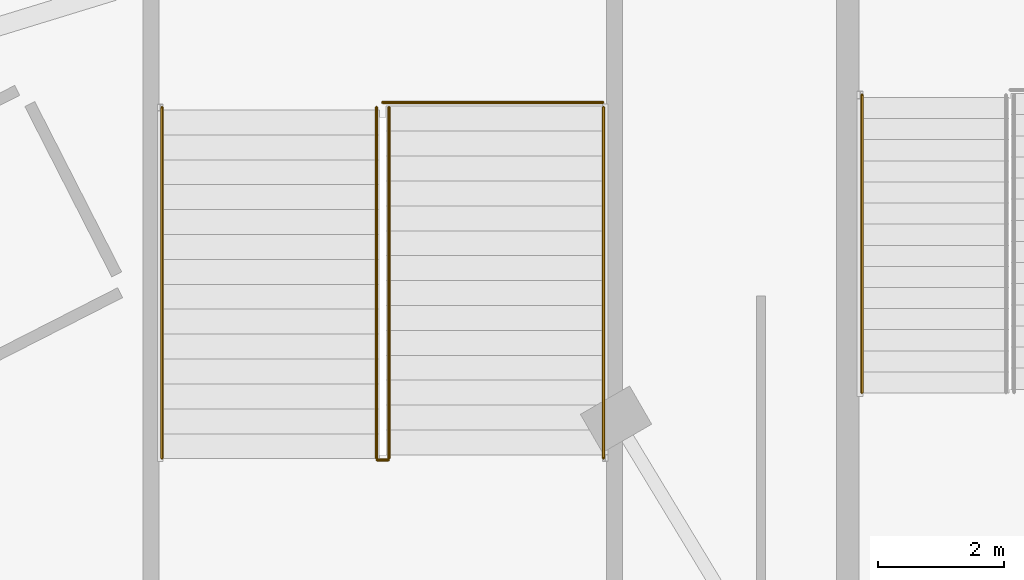
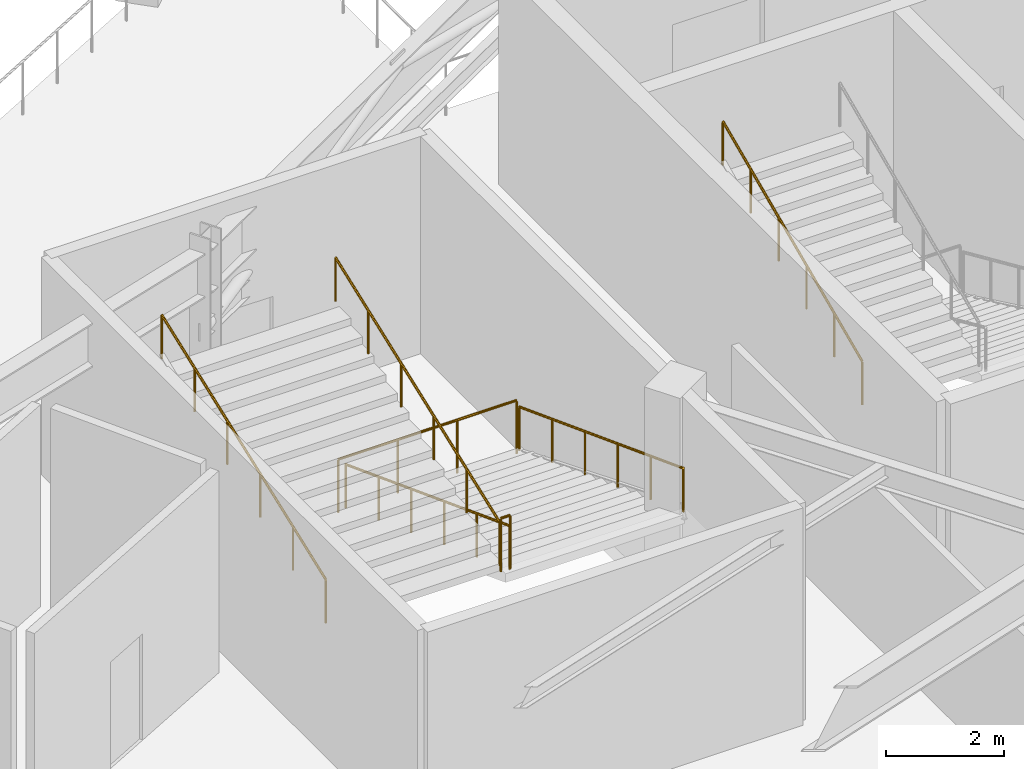
# One storey, part 109 of 123: 7 railings.
"""IFC4 building model written with IfcOpenShell, lengths in metres."""

from ifc_helpers import new_model, si_unit, direction, frame, origin, origin_2d, place, context, subcontext, project, spatial, circle, extrude, material, type_object, element, save


model = new_model("IFC4")

# Units and contexts
model_context = context("Model", 3, precision=1e-05, world=origin(), true_north=direction((0.0, 1.0)))
body_context = subcontext(model_context, "Body", "Model", "MODEL_VIEW")
ifc_project = project(units=[si_unit("LENGTHUNIT", "METRE"), si_unit("AREAUNIT", "SQUARE_METRE"), si_unit("VOLUMEUNIT", "CUBIC_METRE"), si_unit("PLANEANGLEUNIT", "RADIAN"), si_unit("MASSUNIT", "GRAM", prefix="KILO")], contexts=[model_context])

# Site, building, storey
site_placement = place(None, origin())
site = spatial("IfcSite", under=ifc_project, at=site_placement, CompositionType="ELEMENT")
building_placement = place(site_placement, origin())
building = spatial("IfcBuilding", under=site, at=building_placement, Name="Kalgoora Escarpment Arena", CompositionType="ELEMENT")
storey_placement = place(building_placement, frame((0.0, 0.0, 9.89990234375)))
storey = spatial("IfcBuildingStorey", under=building, at=storey_placement, Name="L02", CompositionType="ELEMENT", Elevation=9.89990234375)

# Railings
ifc_material_1 = material(Name="Galvanised & powdercoated tubular steel", Category="steel")
railing_type_1 = type_object("IfcRailingType", Name="RAL-GUARD-1120", PredefinedType="GUARDRAIL", material=ifc_material_1)
railing_1_placement = place(storey_placement, frame((120.489990234375, 20.919921875, 2.25)))
element("IfcRailing", 1, at=railing_1_placement, inside=storey, type_object=railing_type_1, Name="ST16 L02 half-landing well guard", PredefinedType="GUARDRAIL", context=body_context, shape_type="SweptSolid", body=[
    extrude(circle(Radius=0.02392578125, at=origin_2d()), frame((0.0, 0.0, 1.09619140625), z_axis=(-1.0, 0.0, 0.0), x_axis=(0.0, -1.0, 0.0)), (0.0, 0.0, 1.0), 0.179931640625),
    extrude(circle(Radius=0.02099609375, at=origin_2d()), origin(), (0.0, 0.0, 1.0), 1.072021484375),
    extrude(circle(Radius=0.02099609375, at=origin_2d()), frame((-0.179931640625, 0.0, 0.0)), (0.0, 0.0, 1.0), 1.072021484375),
])
railing_2_placement = place(storey_placement, frame((123.889892578125, 26.590087890625, 0.0)))
element("IfcRailing", 2, at=railing_2_placement, inside=storey, type_object=railing_type_1, Name="ST16 L02 floor landing well guard", PredefinedType="GUARDRAIL", context=body_context, shape_type="SweptSolid", body=[
    extrude(circle(Radius=0.02392578125, at=origin_2d()), frame((0.0, 0.0, 1.09619140625), z_axis=(-1.0, 0.0, 0.0), x_axis=(0.0, -1.0, 0.0)), (0.0, 0.0, 1.0), 3.489990234375),
    extrude(circle(Radius=0.02099609375, at=origin_2d()), origin(), (0.0, 0.0, 1.0), 1.072021484375),
    extrude(circle(Radius=0.02099609375, at=origin_2d()), frame((-1.163330078125, 0.0, 0.0)), (0.0, 0.0, 1.0), 1.072021484375),
    extrude(circle(Radius=0.02099609375, at=origin_2d()), frame((-2.32666015625, 0.0, 0.0)), (0.0, 0.0, 1.0), 1.072021484375),
    extrude(circle(Radius=0.02099609375, at=origin_2d()), frame((-3.489990234375, 0.0, 0.0)), (0.0, 0.0, 1.0), 1.072021484375),
])
ifc_material_2 = material(Name="Brushed stainless steel 316 handrail", Category="steel")
railing_type_2 = type_object("IfcRailingType", Name="RAL-HAND-920", PredefinedType="HANDRAIL", material=ifc_material_2)
railing_3_placement = place(storey_placement, frame((128.0, 21.989990234375, 2.360107421875)))
element("IfcRailing", 3, at=railing_3_placement, inside=storey, type_object=railing_type_2, Name="ST06 L02 pitched stair handrail F2R", PredefinedType="HANDRAIL", context=body_context, shape_type="SweptSolid", body=[
    extrude(circle(Radius=0.02392578125, at=origin_2d()), frame((0.0, 0.0, 0.89599609375), z_axis=(0.0, 0.913643874524, 0.406515523129), x_axis=(-1.0, 0.0, 0.0)), (0.0, 0.0, 1.0), 5.166015625),
    extrude(circle(Radius=0.02099609375, at=origin_2d()), origin(), (0.0, 0.0, 1.0), 0.871826171875),
    extrude(circle(Radius=0.02099609375, at=origin_2d()), frame((0.0, 0.944091796875, 0.419921875)), (0.0, 0.0, 1.0), 0.871826171875),
    extrude(circle(Radius=0.02099609375, at=origin_2d()), frame((0.0, 1.887939453125, 0.840087890625)), (0.0, 0.0, 1.0), 0.871826171875),
    extrude(circle(Radius=0.02099609375, at=origin_2d()), frame((0.0, 2.83203125, 1.260009765625)), (0.0, 0.0, 1.0), 0.871826171875),
    extrude(circle(Radius=0.02099609375, at=origin_2d()), frame((0.0, 3.77587890625, 1.68017578125)), (0.0, 0.0, 1.0), 0.871826171875),
    extrude(circle(Radius=0.02099609375, at=origin_2d()), frame((0.0, 4.719970703125, 2.10009765625)), (0.0, 0.0, 1.0), 0.871826171875),
])
for number, where, name in (
    (4, (123.89990234375, 26.510009765625, 0.110107421875), "ST16 L02 pitched stair handrail F1L"),
    (5, (120.5, 26.510009765625, 0.110107421875), "ST16 L02 pitched stair handrail F1R"),
):
    element("IfcRailing", number, at=place(storey_placement, frame(where)), inside=storey, type_object=railing_type_2, Name=name, PredefinedType="HANDRAIL", context=body_context, shape_type="SweptSolid", body=[
        extrude(circle(Radius=0.02392578125, at=origin_2d()), frame((0.0, 0.0, 0.89599609375), z_axis=(0.0, -0.935492612948, 0.353346248203), x_axis=(1.0, 0.0, 0.0)), (0.0, 0.0, 1.0), 5.943359375),
        extrude(circle(Radius=0.02099609375, at=origin_2d()), origin(), (0.0, 0.0, 1.0), 0.871826171875),
        extrude(circle(Radius=0.02099609375, at=origin_2d()), frame((0.0, -1.112060546875, 0.419921875)), (0.0, 0.0, 1.0), 0.871826171875),
        extrude(circle(Radius=0.02099609375, at=origin_2d()), frame((0.0, -2.22412109375, 0.840087890625)), (0.0, 0.0, 1.0), 0.871826171875),
        extrude(circle(Radius=0.02099609375, at=origin_2d()), frame((0.0, -3.3359375, 1.260009765625)), (0.0, 0.0, 1.0), 0.871826171875),
        extrude(circle(Radius=0.02099609375, at=origin_2d()), frame((0.0, -4.447998046875, 1.68017578125)), (0.0, 0.0, 1.0), 0.871826171875),
        extrude(circle(Radius=0.02099609375, at=origin_2d()), frame((0.0, -5.56005859375, 2.10009765625)), (0.0, 0.0, 1.0), 0.871826171875),
    ])
for number, where, name in (
    (6, (120.300048828125, 20.949951171875, 2.360107421875), "ST16 L02 pitched stair handrail F2L"),
    (7, (116.89990234375, 20.949951171875, 2.360107421875), "ST16 L02 pitched stair handrail F2R"),
):
    element("IfcRailing", number, at=place(storey_placement, frame(where)), inside=storey, type_object=railing_type_2, Name=name, PredefinedType="HANDRAIL", context=body_context, shape_type="SweptSolid", body=[
        extrude(circle(Radius=0.02392578125, at=origin_2d()), frame((0.0, 0.0, 0.89599609375), z_axis=(0.0, 0.935492612948, 0.353346248203), x_axis=(-1.0, 0.0, 0.0)), (0.0, 0.0, 1.0), 5.943359375),
        extrude(circle(Radius=0.02099609375, at=origin_2d()), origin(), (0.0, 0.0, 1.0), 0.871826171875),
        extrude(circle(Radius=0.02099609375, at=origin_2d()), frame((0.0, 1.112060546875, 0.419921875)), (0.0, 0.0, 1.0), 0.871826171875),
        extrude(circle(Radius=0.02099609375, at=origin_2d()), frame((0.0, 2.22412109375, 0.840087890625)), (0.0, 0.0, 1.0), 0.871826171875),
        extrude(circle(Radius=0.02099609375, at=origin_2d()), frame((0.0, 3.3359375, 1.260009765625)), (0.0, 0.0, 1.0), 0.871826171875),
        extrude(circle(Radius=0.02099609375, at=origin_2d()), frame((0.0, 4.447998046875, 1.68017578125)), (0.0, 0.0, 1.0), 0.871826171875),
        extrude(circle(Radius=0.02099609375, at=origin_2d()), frame((0.0, 5.56005859375, 2.10009765625)), (0.0, 0.0, 1.0), 0.871826171875),
    ])

save(model, "model.ifc")
